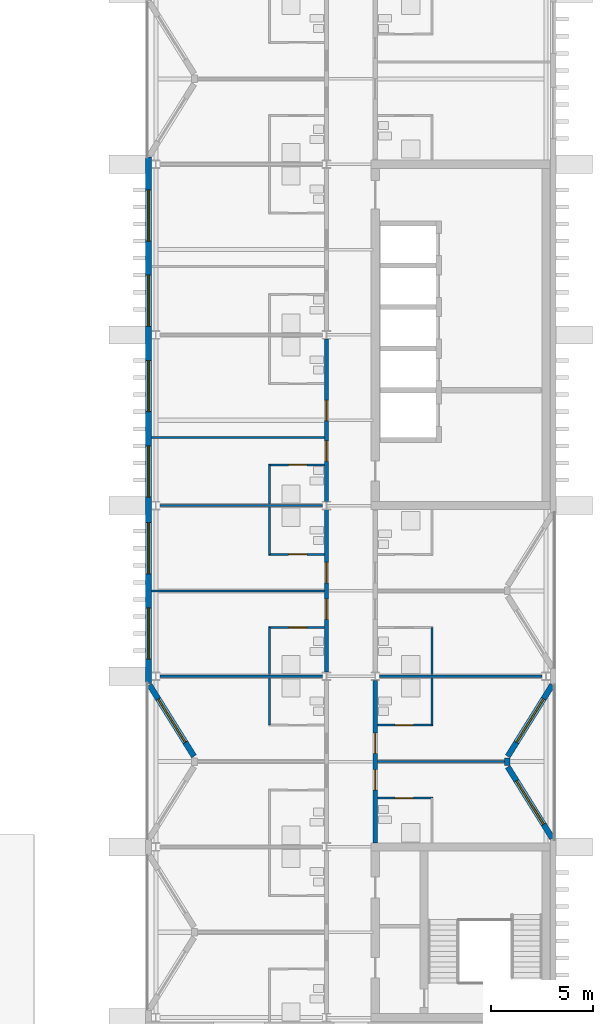
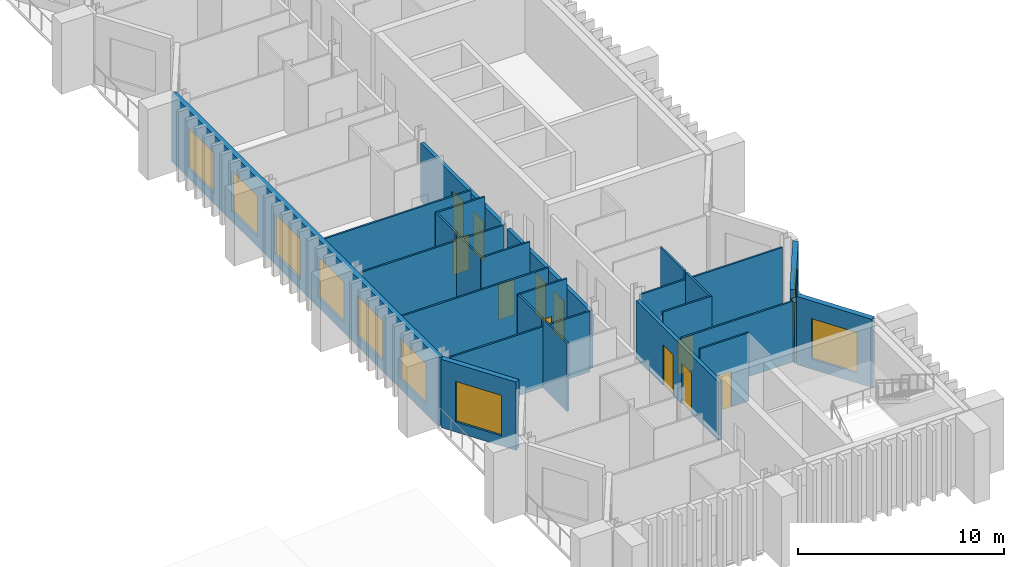
# One storey, part 11 of 21: 25 walls, 11 doors, 9 windows, 20 openings.
"""IFC4 building model written with IfcOpenShell, lengths in metres."""

import ifcopenshell
import ifcopenshell.guid

model = None  # the IFC model being written
_history = None  # IfcOwnerHistory: only IFC2X3 demands one
_inside = {}  # id of a spatial element -> (the spatial element, [elements in it])
_under = {}  # id of a project, library or spatial element -> (it, [spatial elements below it])
_declared = {}  # id of a project -> (the project, [libraries it declares])
_typed = {}  # id of a type object -> (the type object, [elements of that type])
_made_of = {}  # id of a material, layer set ... -> (it, [elements and type objects made of it])


def new_model(schema):
    """Start an empty IFC model of exactly this schema.

    Asked for "IFC4X3", IfcOpenShell would pick the latest addendum, in which some entities
    have other attributes; the version numbers below select the first issue.
    IFC2X3 requires an IfcOwnerHistory on every rooted entity: one is made here for all.
    """
    global model, _history
    if schema == "IFC4X3":
        model = ifcopenshell.file(schema_version=(4, 3, 0, 0))
    else:
        model = ifcopenshell.file(schema=schema)
    _inside.clear()
    _under.clear()
    _declared.clear()
    _typed.clear()
    _made_of.clear()
    _history = None
    if model.schema == "IFC2X3":
        org = make("IfcOrganization", Name="unknown")
        user = make(
            "IfcPersonAndOrganization",
            ThePerson=make("IfcPerson", FamilyName="unknown"),
            TheOrganization=org,
        )
        app = make(
            "IfcApplication",
            ApplicationDeveloper=org,
            Version="unknown",
            ApplicationFullName="unknown",
            ApplicationIdentifier="unknown",
        )
        _history = make(
            "IfcOwnerHistory",
            OwningUser=user,
            OwningApplication=app,
            ChangeAction="ADDED",
            CreationDate=0,
        )
    return model


def make(cls, **values):
    """One entity of the class cls with the attributes given. An attribute that is None is left unset."""
    return model.create_entity(
        cls, **{name: value for name, value in values.items() if value is not None}
    )


def rooted(cls, **values):
    """An entity with a GlobalId (a new one), such as an element, a storey or a relation."""
    return make(cls, GlobalId=ifcopenshell.guid.new(), OwnerHistory=_history, **values)


def si_unit(unit_type, name, prefix=None):
    """IfcSIUnit, for example si_unit("LENGTHUNIT", "METRE", prefix="MILLI")."""
    return make("IfcSIUnit", UnitType=unit_type, Prefix=prefix, Name=name)


def assignment(units):
    """IfcUnitAssignment: the units of a project."""
    return None if units is None else make("IfcUnitAssignment", Units=units)


def point(xyz):
    """IfcCartesianPoint."""
    return None if xyz is None else make("IfcCartesianPoint", Coordinates=xyz)


def direction(xyz):
    """IfcDirection."""
    return None if xyz is None else make("IfcDirection", DirectionRatios=xyz)


def frame(location, z_axis=None, x_axis=None):
    """IfcAxis2Placement3D, a coordinate frame: its origin and axes. An axis left out is left unset."""
    return make(
        "IfcAxis2Placement3D",
        Location=point(location),
        Axis=direction(z_axis),
        RefDirection=direction(x_axis),
    )


def frame_2d(location, x_axis=None):
    """IfcAxis2Placement2D, a coordinate frame in the plane: its origin and x axis."""
    return make(
        "IfcAxis2Placement2D", Location=point(location), RefDirection=direction(x_axis)
    )


def origin():
    """The frame at (0, 0, 0) with its axes left unset."""
    return frame((0.0, 0.0, 0.0))


def place(relative_to, where):
    """IfcLocalPlacement: puts the frame where relative to a parent placement (None: the world)."""
    return make(
        "IfcLocalPlacement", PlacementRelTo=relative_to, RelativePlacement=where
    )


def context(
    kind, dimensions, precision=None, world=None, true_north=None, identifier=None
):
    """IfcGeometricRepresentationContext, for example the 3D "Model" context."""
    return make(
        "IfcGeometricRepresentationContext",
        ContextIdentifier=identifier,
        ContextType=kind,
        CoordinateSpaceDimension=dimensions,
        Precision=precision,
        WorldCoordinateSystem=world,
        TrueNorth=true_north,
    )


def subcontext(parent, identifier, kind, view, scale=None):
    """IfcGeometricRepresentationSubContext, for example "Body" below "Model"."""
    return make(
        "IfcGeometricRepresentationSubContext",
        ContextIdentifier=identifier,
        ContextType=kind,
        ParentContext=parent,
        TargetScale=scale,
        TargetView=view,
    )


def project(units=None, contexts=None):
    """IfcProject with its units and contexts."""
    return rooted(
        "IfcProject",
        Name="project",
        RepresentationContexts=contexts,
        UnitsInContext=assignment(units),
    )


def spatial(cls, under=None, at=None, **own):
    """A site, building, storey or space (cls), placed at a placement, below another one or the project."""
    s = rooted(cls, ObjectPlacement=at, **own)
    if under is not None:
        _under.setdefault(under.id(), (under, []))[1].append(s)
    return s


def profile(cls, at=None, kind="AREA", **sizes):
    """A parametric profile (cls). Its sizes go by their IFC names, for example OverallWidth=200.0."""
    return make(cls, ProfileType=kind, Position=at, **sizes)


def rectangle(**sizes):
    """IfcRectangleProfileDef."""
    return profile("IfcRectangleProfileDef", **sizes)


def extrude(swept, where, along, depth):
    """IfcExtrudedAreaSolid: the profile swept, set in the frame where, extruded along a direction by depth."""
    return make(
        "IfcExtrudedAreaSolid",
        SweptArea=swept,
        Position=where,
        ExtrudedDirection=direction(along),
        Depth=depth,
    )


def shape(context_of_items, identifier, shape_type, items):
    """IfcShapeRepresentation: the items that make up one representation, for example the "Body"."""
    return make(
        "IfcShapeRepresentation",
        ContextOfItems=context_of_items,
        RepresentationIdentifier=identifier,
        RepresentationType=shape_type,
        Items=items,
    )


def material(Name=None, Category=None):
    """IfcMaterial."""
    return make("IfcMaterial", Name=Name, Category=Category)


def layer(
    of_material, thickness, ventilated=None, Name=None, Category=None, Priority=None
):
    """IfcMaterialLayer: one layer of a wall or slab, of a material (None: an air gap)."""
    return make(
        "IfcMaterialLayer",
        Material=of_material,
        LayerThickness=thickness,
        IsVentilated=ventilated,
        Name=Name,
        Category=Category,
        Priority=Priority,
    )


def layer_set(layers, Name=None):
    """IfcMaterialLayerSet."""
    return make("IfcMaterialLayerSet", MaterialLayers=layers, LayerSetName=Name)


def made_of(thing, what):
    """Note that an element or type object is made of a material, layer set ...; save() writes the relation."""
    if what is not None:
        _made_of.setdefault(what.id(), (what, []))[1].append(thing)
    return thing


def type_object(cls, material=None, **own):
    """A type object (cls), such as IfcWallType, which elements share."""
    return made_of(rooted(cls, **own), material)


def element(
    cls,
    number,
    at=None,
    inside=None,
    cuts=None,
    type_object=None,
    material=None,
    context=None,
    identifier="Body",
    shape_type=None,
    held_by="IfcProductDefinitionShape",
    body=None,
    shapes=None,
    **own,
):
    """One element of the class cls, such as IfcWall. Its Tag is "e" and its number.

    at: its placement. inside: the storey or other place that contains it. cuts: it is an
    opening in that element (IfcRelVoidsElement). A single representation is given by context,
    identifier, shape_type and body (its items); several are given by shapes. held_by: the class
    of the entity that holds the representations. save() writes the other relations.
    """
    e = rooted(cls, Tag="e%d" % number, ObjectPlacement=at, **own)
    if body is not None:
        shapes = [shape(context, identifier, shape_type, body)]
    if shapes is not None:
        e.Representation = make(held_by, Representations=shapes)
    if inside is not None:
        _inside.setdefault(inside.id(), (inside, []))[1].append(e)
    if cuts is not None:
        rooted(
            "IfcRelVoidsElement", RelatingBuildingElement=cuts, RelatedOpeningElement=e
        )
    if type_object is not None:
        _typed.setdefault(type_object.id(), (type_object, []))[1].append(e)
    return made_of(e, material)


def fill(opening, filler):
    """IfcRelFillsElement: the door or window that sits in an opening."""
    return rooted(
        "IfcRelFillsElement",
        RelatingOpeningElement=opening,
        RelatedBuildingElement=filler,
    )


def aggregate(whole, parts):
    """IfcRelAggregates: a whole, such as a stair, and the parts it consists of."""
    return rooted("IfcRelAggregates", RelatingObject=whole, RelatedObjects=parts)


def save(model, path):
    """Write the relations noted so far, then the file.

    IfcRelAggregates (storeys below a building ...), IfcRelContainedInSpatialStructure (elements
    in a storey), IfcRelDefinesByType, IfcRelAssociatesMaterial and IfcRelDeclares: one each for
    every whole, place, type object, material and project.
    """
    for whole, parts in _under.values():
        aggregate(whole, parts)
    for where, things in _inside.values():
        rooted(
            "IfcRelContainedInSpatialStructure",
            RelatedElements=things,
            RelatingStructure=where,
        )
    for kind, things in _typed.values():
        rooted("IfcRelDefinesByType", RelatedObjects=things, RelatingType=kind)
    for what, things in _made_of.values():
        rooted("IfcRelAssociatesMaterial", RelatedObjects=things, RelatingMaterial=what)
    for by, libraries in _declared.values():
        rooted("IfcRelDeclares", RelatingContext=by, RelatedDefinitions=libraries)
    model.write(path)


model = new_model("IFC4")

# Units and contexts
model_context = context("Model", 3, precision=1e-05, world=origin(), true_north=direction((0.0, 1.0)))
body_context = subcontext(model_context, "Body", "Model", "MODEL_VIEW")
ifc_project = project(units=[si_unit("LENGTHUNIT", "METRE"), si_unit("AREAUNIT", "SQUARE_METRE"), si_unit("VOLUMEUNIT", "CUBIC_METRE"), si_unit("PLANEANGLEUNIT", "RADIAN"), si_unit("MASSUNIT", "GRAM", prefix="KILO")], contexts=[model_context])

# Site, building, storey
site_placement = place(None, origin())
site = spatial("IfcSite", under=ifc_project, at=site_placement, CompositionType="ELEMENT")
building_placement = place(site_placement, origin())
building = spatial("IfcBuilding", under=site, at=building_placement, Name="Cresset Court Congress Hotel", CompositionType="ELEMENT")
storey_placement = place(building_placement, frame((0.0, 0.0, 22.800048828125)))
storey = spatial("IfcBuildingStorey", under=building, at=storey_placement, Name="L05", CompositionType="ELEMENT", Elevation=22.800048828125)

# Wall, openings, doors
ifc_material_1 = material(Name="Gypsum board partition")
ifc_layer_1 = layer(ifc_material_1, 0.199951171875)
ifc_layer_set_1 = layer_set([ifc_layer_1], Name="Corridor wall 200")
wall_type_1 = type_object("IfcWallType", Name="Corridor wall 200", PredefinedType="PARTITIONING", material=ifc_layer_set_1)
wall_1_placement = place(storey_placement, frame((165.60009765625, 17.0, 0.0), z_axis=(0.0, 0.0, 1.0), x_axis=(0.0, 1.0, 0.0)))
wall_1 = element("IfcWall", 1, at=wall_1_placement, inside=storey, type_object=wall_type_1, Name="A.wl.L05.072", PredefinedType="PARTITIONING", context=body_context, shape_type="SweptSolid", body=[
    extrude(rectangle(XDim=8.0, YDim=0.199951171875, at=frame_2d((4.0, 0.0))), origin(), (0.0, 0.0, 1.0), 3.449951171875),
])
opening_1_placement = place(wall_1_placement, frame((2.60009765625, 0.0, 0.0)))
opening_1 = element("IfcOpeningElement", 2, at=opening_1_placement, cuts=wall_1, Name="Opening DA-05-10", PredefinedType="OPENING", context=body_context, shape_type="SweptSolid", body=[
    extrude(rectangle(XDim=1.0, YDim=2.39990234375, at=frame_2d((0.5, 1.199951171875))), frame((0.0, 0.10986328125, 0.0), z_axis=(0.0, -1.0, 0.0), x_axis=(1.0, 0.0, 0.0)), (0.0, 0.0, 1.0), 0.219970703125),
])
opening_2_placement = place(wall_1_placement, frame((4.39990234375, 0.0, 0.0)))
opening_2 = element("IfcOpeningElement", 3, at=opening_2_placement, cuts=wall_1, Name="Opening DA-05-12", PredefinedType="OPENING", context=body_context, shape_type="SweptSolid", body=[
    extrude(rectangle(XDim=1.0, YDim=2.39990234375, at=frame_2d((0.5, 1.199951171875))), frame((0.0, 0.10986328125, 0.0), z_axis=(0.0, -1.0, 0.0), x_axis=(1.0, 0.0, 0.0)), (0.0, 0.0, 1.0), 0.219970703125),
])
ifc_material_2 = material(Name="timber", Category="wood")
door_type_1 = type_object("IfcDoorType", Name="Guest-room entry door 1000x2400 FD30S", OperationType="SINGLE_SWING_LEFT", PredefinedType="DOOR", material=ifc_material_2)
door_1_placement = place(opening_1_placement, origin())
door_1 = element("IfcDoor", 4, at=door_1_placement, inside=storey, type_object=door_type_1, Name="Door DA-05-10", OperationType="SINGLE_SWING_RIGHT", OverallHeight=2.39990234375, OverallWidth=1.0, PredefinedType="DOOR", context=body_context, shape_type="SweptSolid", body=[
    extrude(rectangle(XDim=1.0, YDim=2.39990234375, at=frame_2d((0.5, 1.199951171875))), frame((0.0, 0.02490234375, 0.0), z_axis=(0.0, -1.0, 0.0), x_axis=(1.0, 0.0, 0.0)), (0.0, 0.0, 1.0), 0.050048828125),
])
fill(opening_1, door_1)
door_2_placement = place(opening_2_placement, origin())
door_2 = element("IfcDoor", 5, at=door_2_placement, inside=storey, type_object=door_type_1, Name="Door DA-05-12", OperationType="SINGLE_SWING_LEFT", OverallHeight=2.39990234375, OverallWidth=1.0, PredefinedType="DOOR", context=body_context, shape_type="SweptSolid", body=[
    extrude(rectangle(XDim=1.0, YDim=2.39990234375, at=frame_2d((0.5, 1.199951171875))), frame((0.0, 0.02490234375, 0.0), z_axis=(0.0, -1.0, 0.0), x_axis=(1.0, 0.0, 0.0)), (0.0, 0.0, 1.0), 0.050048828125),
])
fill(opening_2, door_2)

wall_2_placement = place(storey_placement, frame((165.60009765625, 25.39990234375, 0.0), z_axis=(0.0, 0.0, 1.0), x_axis=(0.0, 1.0, 0.0)))
wall_2 = element("IfcWall", 6, at=wall_2_placement, inside=storey, type_object=wall_type_1, Name="A.wl.L05.073", PredefinedType="PARTITIONING", context=body_context, shape_type="SweptSolid", body=[
    extrude(rectangle(XDim=8.0, YDim=0.199951171875, at=frame_2d((4.0, 0.0))), origin(), (0.0, 0.0, 1.0), 3.449951171875),
])
opening_3_placement = place(wall_2_placement, frame((1.97998046875, 0.0, 0.0)))
opening_3 = element("IfcOpeningElement", 7, at=opening_3_placement, cuts=wall_2, Name="Opening DA-05-14", PredefinedType="OPENING", context=body_context, shape_type="SweptSolid", body=[
    extrude(rectangle(XDim=1.0, YDim=2.39990234375, at=frame_2d((0.5, 1.199951171875))), frame((0.0, 0.10986328125, 0.0), z_axis=(0.0, -1.0, 0.0), x_axis=(1.0, 0.0, 0.0)), (0.0, 0.0, 1.0), 0.219970703125),
])
opening_4_placement = place(wall_2_placement, frame((3.97998046875, 0.0, 0.0)))
opening_4 = element("IfcOpeningElement", 8, at=opening_4_placement, cuts=wall_2, Name="Opening DA-05-16", PredefinedType="OPENING", context=body_context, shape_type="SweptSolid", body=[
    extrude(rectangle(XDim=1.0, YDim=2.39990234375, at=frame_2d((0.5, 1.199951171875))), frame((0.0, 0.10986328125, 0.0), z_axis=(0.0, -1.0, 0.0), x_axis=(1.0, 0.0, 0.0)), (0.0, 0.0, 1.0), 0.219970703125),
])
door_3_placement = place(opening_3_placement, origin())
door_3 = element("IfcDoor", 9, at=door_3_placement, inside=storey, type_object=door_type_1, Name="Door DA-05-14", OperationType="SINGLE_SWING_RIGHT", OverallHeight=2.39990234375, OverallWidth=1.0, PredefinedType="DOOR", context=body_context, shape_type="SweptSolid", body=[
    extrude(rectangle(XDim=1.0, YDim=2.39990234375, at=frame_2d((0.5, 1.199951171875))), frame((0.0, 0.02490234375, 0.0), z_axis=(0.0, -1.0, 0.0), x_axis=(1.0, 0.0, 0.0)), (0.0, 0.0, 1.0), 0.050048828125),
])
fill(opening_3, door_3)
door_4_placement = place(opening_4_placement, origin())
door_4 = element("IfcDoor", 10, at=door_4_placement, inside=storey, type_object=door_type_1, Name="Door DA-05-16", OperationType="SINGLE_SWING_LEFT", OverallHeight=2.39990234375, OverallWidth=1.0, PredefinedType="DOOR", context=body_context, shape_type="SweptSolid", body=[
    extrude(rectangle(XDim=1.0, YDim=2.39990234375, at=frame_2d((0.5, 1.199951171875))), frame((0.0, 0.02490234375, 0.0), z_axis=(0.0, -1.0, 0.0), x_axis=(1.0, 0.0, 0.0)), (0.0, 0.0, 1.0), 0.050048828125),
])
fill(opening_4, door_4)

wall_3_placement = place(storey_placement, frame((168.0, 8.60009765625, 0.0), z_axis=(0.0, 0.0, 1.0), x_axis=(0.0, 1.0, 0.0)))
wall_3 = element("IfcWall", 11, at=wall_3_placement, inside=storey, type_object=wall_type_1, Name="A.wl.L05.078", PredefinedType="PARTITIONING", context=body_context, shape_type="SweptSolid", body=[
    extrude(rectangle(XDim=8.0, YDim=0.199951171875, at=frame_2d((4.0, 0.0))), origin(), (0.0, 0.0, 1.0), 3.449951171875),
])
opening_5_placement = place(wall_3_placement, frame((2.60009765625, 0.0, 0.0)))
opening_5 = element("IfcOpeningElement", 12, at=opening_5_placement, cuts=wall_3, Name="Opening DA-05-34", PredefinedType="OPENING", context=body_context, shape_type="SweptSolid", body=[
    extrude(rectangle(XDim=1.0, YDim=2.39990234375, at=frame_2d((0.5, 1.199951171875))), frame((0.0, 0.10986328125, 0.0), z_axis=(0.0, -1.0, 0.0), x_axis=(1.0, 0.0, 0.0)), (0.0, 0.0, 1.0), 0.219970703125),
])
opening_6_placement = place(wall_3_placement, frame((4.39990234375, 0.0, 0.0)))
opening_6 = element("IfcOpeningElement", 13, at=opening_6_placement, cuts=wall_3, Name="Opening DA-05-36", PredefinedType="OPENING", context=body_context, shape_type="SweptSolid", body=[
    extrude(rectangle(XDim=1.0, YDim=2.39990234375, at=frame_2d((0.5, 1.199951171875))), frame((0.0, 0.10986328125, 0.0), z_axis=(0.0, -1.0, 0.0), x_axis=(1.0, 0.0, 0.0)), (0.0, 0.0, 1.0), 0.219970703125),
])
door_5_placement = place(opening_5_placement, origin())
door_5 = element("IfcDoor", 14, at=door_5_placement, inside=storey, type_object=door_type_1, Name="Door DA-05-34", OperationType="SINGLE_SWING_RIGHT", OverallHeight=2.39990234375, OverallWidth=1.0, PredefinedType="DOOR", context=body_context, shape_type="SweptSolid", body=[
    extrude(rectangle(XDim=1.0, YDim=2.39990234375, at=frame_2d((0.5, 1.199951171875))), frame((0.0, 0.02490234375, 0.0), z_axis=(0.0, -1.0, 0.0), x_axis=(1.0, 0.0, 0.0)), (0.0, 0.0, 1.0), 0.050048828125),
])
fill(opening_5, door_5)
door_6_placement = place(opening_6_placement, origin())
door_6 = element("IfcDoor", 15, at=door_6_placement, inside=storey, type_object=door_type_1, Name="Door DA-05-36", OperationType="SINGLE_SWING_LEFT", OverallHeight=2.39990234375, OverallWidth=1.0, PredefinedType="DOOR", context=body_context, shape_type="SweptSolid", body=[
    extrude(rectangle(XDim=1.0, YDim=2.39990234375, at=frame_2d((0.5, 1.199951171875))), frame((0.0, 0.02490234375, 0.0), z_axis=(0.0, -1.0, 0.0), x_axis=(1.0, 0.0, 0.0)), (0.0, 0.0, 1.0), 0.050048828125),
])
fill(opening_6, door_6)

# Walls
ifc_material_3 = material(Name="Gypsum board partition")
ifc_layer_2 = layer(ifc_material_3, 0.10009765625)
ifc_layer_set_2 = layer_set([ifc_layer_2], Name="En-suite wall 100")
wall_type_2 = type_object("IfcWallType", Name="En-suite wall 100", PredefinedType="PARTITIONING", material=ifc_layer_set_2)
wall_4_placement = place(storey_placement, frame((162.800048828125, 14.39990234375, 0.0), z_axis=(0.0, 0.0, 1.0), x_axis=(0.0, 1.0, 0.0)))
element("IfcWall", 16, at=wall_4_placement, inside=storey, type_object=wall_type_2, Name="A.wl.L05.007", PredefinedType="PARTITIONING", context=body_context, shape_type="SweptSolid", body=[
    extrude(rectangle(XDim=2.3251953125, YDim=0.10009765625, at=frame_2d((1.16259765625, 0.0))), origin(), (0.0, 0.0, 1.0), 4.050048828125),
])
wall_5_placement = place(storey_placement, frame((162.800048828125, 16.875, 0.0), z_axis=(0.0, 0.0, 1.0), x_axis=(0.0, 1.0, 0.0)))
element("IfcWall", 17, at=wall_5_placement, inside=storey, type_object=wall_type_2, Name="A.wl.L05.009", PredefinedType="PARTITIONING", context=body_context, shape_type="SweptSolid", body=[
    extrude(rectangle(XDim=2.324951171875, YDim=0.10009765625, at=frame_2d((1.16259765625, 0.0))), origin(), (0.0, 0.0, 1.0), 4.050048828125),
])

# Wall, opening, door
wall_6_placement = place(storey_placement, frame((162.75, 19.199951171875, 0.0), z_axis=(0.0, 0.0, 1.0), x_axis=(1.0, 0.0, 0.0)))
wall_6 = element("IfcWall", 18, at=wall_6_placement, inside=storey, type_object=wall_type_2, Name="A.wl.L05.010", PredefinedType="PARTITIONING", context=body_context, shape_type="SweptSolid", body=[
    extrude(rectangle(XDim=2.75, YDim=0.10009765625, at=frame_2d((1.375, 0.0))), origin(), (0.0, 0.0, 1.0), 4.050048828125),
])
opening_7_placement = place(wall_6_placement, frame((0.97998046875, 0.0, 0.0)))
opening_7 = element("IfcOpeningElement", 19, at=opening_7_placement, cuts=wall_6, Name="Opening DA-05-09", PredefinedType="OPENING", context=body_context, shape_type="SweptSolid", body=[
    extrude(rectangle(XDim=0.89990234375, YDim=2.10009765625, at=frame_2d((0.449951171875, 1.050048828125))), frame((0.0, 0.06005859375, 0.0), z_axis=(0.0, -1.0, 0.0), x_axis=(1.0, 0.0, 0.0)), (0.0, 0.0, 1.0), 0.1201171875),
])
ifc_material_4 = material(Name="timber", Category="wood")
door_type_2 = type_object("IfcDoorType", Name="En-suite door 900x2100", OperationType="SINGLE_SWING_LEFT", PredefinedType="DOOR", material=ifc_material_4)
door_7_placement = place(opening_7_placement, origin())
door_7 = element("IfcDoor", 20, at=door_7_placement, inside=storey, type_object=door_type_2, Name="Door DA-05-09", OperationType="SINGLE_SWING_RIGHT", OverallHeight=2.10009765625, OverallWidth=0.89990234375, PredefinedType="DOOR", context=body_context, shape_type="SweptSolid", body=[
    extrude(rectangle(XDim=0.89990234375, YDim=2.10009765625, at=frame_2d((0.449951171875, 1.050048828125))), frame((0.0, 0.02490234375, 0.0), z_axis=(0.0, -1.0, 0.0), x_axis=(1.0, 0.0, 0.0)), (0.0, 0.0, 1.0), 0.050048828125),
])
fill(opening_7, door_7)

# Wall
wall_7_placement = place(storey_placement, frame((162.800048828125, 22.800048828125, 0.0), z_axis=(0.0, 0.0, 1.0), x_axis=(0.0, 1.0, 0.0)))
element("IfcWall", 21, at=wall_7_placement, inside=storey, type_object=wall_type_2, Name="A.wl.L05.011", PredefinedType="PARTITIONING", context=body_context, shape_type="SweptSolid", body=[
    extrude(rectangle(XDim=2.324951171875, YDim=0.10009765625, at=frame_2d((1.16259765625, 0.0))), origin(), (0.0, 0.0, 1.0), 4.050048828125),
])

# Wall, opening, door
wall_8_placement = place(storey_placement, frame((162.75, 22.800048828125, 0.0), z_axis=(0.0, 0.0, 1.0), x_axis=(1.0, 0.0, 0.0)))
wall_8 = element("IfcWall", 22, at=wall_8_placement, inside=storey, type_object=wall_type_2, Name="A.wl.L05.012", PredefinedType="PARTITIONING", context=body_context, shape_type="SweptSolid", body=[
    extrude(rectangle(XDim=2.75, YDim=0.10009765625, at=frame_2d((1.375, 0.0))), origin(), (0.0, 0.0, 1.0), 4.050048828125),
])
opening_8_placement = place(wall_8_placement, frame((0.97998046875, 0.0, 0.0)))
opening_8 = element("IfcOpeningElement", 23, at=opening_8_placement, cuts=wall_8, Name="Opening DA-05-11", PredefinedType="OPENING", context=body_context, shape_type="SweptSolid", body=[
    extrude(rectangle(XDim=0.89990234375, YDim=2.10009765625, at=frame_2d((0.449951171875, 1.050048828125))), frame((0.0, 0.06005859375, 0.0), z_axis=(0.0, -1.0, 0.0), x_axis=(1.0, 0.0, 0.0)), (0.0, 0.0, 1.0), 0.1201171875),
])
door_8_placement = place(opening_8_placement, origin())
door_8 = element("IfcDoor", 24, at=door_8_placement, inside=storey, type_object=door_type_2, Name="Door DA-05-11", OperationType="SINGLE_SWING_LEFT", OverallHeight=2.10009765625, OverallWidth=0.89990234375, PredefinedType="DOOR", context=body_context, shape_type="SweptSolid", body=[
    extrude(rectangle(XDim=0.89990234375, YDim=2.10009765625, at=frame_2d((0.449951171875, 1.050048828125))), frame((0.0, 0.02490234375, 0.0), z_axis=(0.0, -1.0, 0.0), x_axis=(1.0, 0.0, 0.0)), (0.0, 0.0, 1.0), 0.050048828125),
])
fill(opening_8, door_8)

# Wall
wall_9_placement = place(storey_placement, frame((162.800048828125, 25.27490234375, 0.0), z_axis=(0.0, 0.0, 1.0), x_axis=(0.0, 1.0, 0.0)))
element("IfcWall", 25, at=wall_9_placement, inside=storey, type_object=wall_type_2, Name="A.wl.L05.013", PredefinedType="PARTITIONING", context=body_context, shape_type="SweptSolid", body=[
    extrude(rectangle(XDim=1.925048828125, YDim=0.10009765625, at=frame_2d((0.96240234375, 0.0))), origin(), (0.0, 0.0, 1.0), 4.050048828125),
])

# Wall, opening, door
wall_10_placement = place(storey_placement, frame((162.75, 27.199951171875, 0.0), z_axis=(0.0, 0.0, 1.0), x_axis=(1.0, 0.0, 0.0)))
wall_10 = element("IfcWall", 26, at=wall_10_placement, inside=storey, type_object=wall_type_2, Name="A.wl.L05.014", PredefinedType="PARTITIONING", context=body_context, shape_type="SweptSolid", body=[
    extrude(rectangle(XDim=2.75, YDim=0.10009765625, at=frame_2d((1.375, 0.0))), origin(), (0.0, 0.0, 1.0), 4.050048828125),
])
opening_9_placement = place(wall_10_placement, frame((0.97998046875, 0.0, 0.0)))
opening_9 = element("IfcOpeningElement", 27, at=opening_9_placement, cuts=wall_10, Name="Opening DA-05-13", PredefinedType="OPENING", context=body_context, shape_type="SweptSolid", body=[
    extrude(rectangle(XDim=0.89990234375, YDim=2.10009765625, at=frame_2d((0.449951171875, 1.050048828125))), frame((0.0, 0.06005859375, 0.0), z_axis=(0.0, -1.0, 0.0), x_axis=(1.0, 0.0, 0.0)), (0.0, 0.0, 1.0), 0.1201171875),
])
door_9_placement = place(opening_9_placement, origin())
door_9 = element("IfcDoor", 28, at=door_9_placement, inside=storey, type_object=door_type_2, Name="Door DA-05-13", OperationType="SINGLE_SWING_RIGHT", OverallHeight=2.10009765625, OverallWidth=0.89990234375, PredefinedType="DOOR", context=body_context, shape_type="SweptSolid", body=[
    extrude(rectangle(XDim=0.89990234375, YDim=2.10009765625, at=frame_2d((0.449951171875, 1.050048828125))), frame((0.0, 0.02490234375, 0.0), z_axis=(0.0, -1.0, 0.0), x_axis=(1.0, 0.0, 0.0)), (0.0, 0.0, 1.0), 0.050048828125),
])
fill(opening_9, door_9)

wall_11_placement = place(storey_placement, frame((170.85009765625, 10.800048828125, 0.0), z_axis=(0.0, 0.0, 1.0), x_axis=(-1.0, 0.0, 0.0)))
wall_11 = element("IfcWall", 29, at=wall_11_placement, inside=storey, type_object=wall_type_2, Name="A.wl.L05.034", PredefinedType="PARTITIONING", context=body_context, shape_type="SweptSolid", body=[
    extrude(rectangle(XDim=2.75, YDim=0.10009765625, at=frame_2d((1.375, 0.0))), origin(), (0.0, 0.0, 1.0), 4.050048828125),
])
opening_10_placement = place(wall_11_placement, frame((0.97998046875, 0.0, 0.0)))
opening_10 = element("IfcOpeningElement", 30, at=opening_10_placement, cuts=wall_11, Name="Opening DA-05-33", PredefinedType="OPENING", context=body_context, shape_type="SweptSolid", body=[
    extrude(rectangle(XDim=0.89990234375, YDim=2.10009765625, at=frame_2d((0.449951171875, 1.050048828125))), frame((0.0, 0.06005859375, 0.0), z_axis=(0.0, -1.0, 0.0), x_axis=(1.0, 0.0, 0.0)), (0.0, 0.0, 1.0), 0.1201171875),
])
door_10_placement = place(opening_10_placement, origin())
door_10 = element("IfcDoor", 31, at=door_10_placement, inside=storey, type_object=door_type_2, Name="Door DA-05-33", OperationType="SINGLE_SWING_RIGHT", OverallHeight=2.10009765625, OverallWidth=0.89990234375, PredefinedType="DOOR", context=body_context, shape_type="SweptSolid", body=[
    extrude(rectangle(XDim=0.89990234375, YDim=2.10009765625, at=frame_2d((0.449951171875, 1.050048828125))), frame((0.0, 0.02490234375, 0.0), z_axis=(0.0, -1.0, 0.0), x_axis=(1.0, 0.0, 0.0)), (0.0, 0.0, 1.0), 0.050048828125),
])
fill(opening_10, door_10)

# Wall
wall_12_placement = place(storey_placement, frame((170.800048828125, 14.39990234375, 0.0), z_axis=(0.0, 0.0, 1.0), x_axis=(0.0, 1.0, 0.0)))
element("IfcWall", 32, at=wall_12_placement, inside=storey, type_object=wall_type_2, Name="A.wl.L05.035", PredefinedType="PARTITIONING", context=body_context, shape_type="SweptSolid", body=[
    extrude(rectangle(XDim=2.3251953125, YDim=0.10009765625, at=frame_2d((1.16259765625, 0.0))), origin(), (0.0, 0.0, 1.0), 4.050048828125),
])

# Wall, opening, door
wall_13_placement = place(storey_placement, frame((170.85009765625, 14.39990234375, 0.0), z_axis=(0.0, 0.0, 1.0), x_axis=(-1.0, 0.0, 0.0)))
wall_13 = element("IfcWall", 33, at=wall_13_placement, inside=storey, type_object=wall_type_2, Name="A.wl.L05.036", PredefinedType="PARTITIONING", context=body_context, shape_type="SweptSolid", body=[
    extrude(rectangle(XDim=2.75, YDim=0.10009765625, at=frame_2d((1.375, 0.0))), origin(), (0.0, 0.0, 1.0), 4.050048828125),
])
opening_11_placement = place(wall_13_placement, frame((0.97998046875, 0.0, 0.0)))
opening_11 = element("IfcOpeningElement", 34, at=opening_11_placement, cuts=wall_13, Name="Opening DA-05-35", PredefinedType="OPENING", context=body_context, shape_type="SweptSolid", body=[
    extrude(rectangle(XDim=0.89990234375, YDim=2.10009765625, at=frame_2d((0.449951171875, 1.050048828125))), frame((0.0, 0.06005859375, 0.0), z_axis=(0.0, -1.0, 0.0), x_axis=(1.0, 0.0, 0.0)), (0.0, 0.0, 1.0), 0.1201171875),
])
door_11_placement = place(opening_11_placement, origin())
door_11 = element("IfcDoor", 35, at=door_11_placement, inside=storey, type_object=door_type_2, Name="Door DA-05-35", OperationType="SINGLE_SWING_LEFT", OverallHeight=2.10009765625, OverallWidth=0.89990234375, PredefinedType="DOOR", context=body_context, shape_type="SweptSolid", body=[
    extrude(rectangle(XDim=0.89990234375, YDim=2.10009765625, at=frame_2d((0.449951171875, 1.050048828125))), frame((0.0, 0.02490234375, 0.0), z_axis=(0.0, -1.0, 0.0), x_axis=(1.0, 0.0, 0.0)), (0.0, 0.0, 1.0), 0.050048828125),
])
fill(opening_11, door_11)

# Wall
wall_14_placement = place(storey_placement, frame((170.800048828125, 16.875, 0.0), z_axis=(0.0, 0.0, 1.0), x_axis=(0.0, 1.0, 0.0)))
element("IfcWall", 36, at=wall_14_placement, inside=storey, type_object=wall_type_2, Name="A.wl.L05.037", PredefinedType="PARTITIONING", context=body_context, shape_type="SweptSolid", body=[
    extrude(rectangle(XDim=2.324951171875, YDim=0.10009765625, at=frame_2d((1.16259765625, 0.0))), origin(), (0.0, 0.0, 1.0), 4.050048828125),
])

# Wall, opening, window
ifc_material_5 = material(Name="Precast concrete C50", Category="concrete")
ifc_layer_3 = layer(ifc_material_5, 0.280029296875)
ifc_layer_set_3 = layer_set([ifc_layer_3], Name="External wall 280")
wall_type_3 = type_object("IfcWallType", Name="External wall 280", PredefinedType="SOLIDWALL", material=ifc_layer_set_3)
wall_15_placement = place(storey_placement, frame((159.07861328125, 12.85888671875, 0.0), z_axis=(0.0, 0.0, 1.0), x_axis=(-0.528992500338, 0.848626498871, 0.0)))
wall_15 = element("IfcWall", 37, at=wall_15_placement, inside=storey, type_object=wall_type_3, Name="A.ew.L05.Wn.1.1", PredefinedType="SOLIDWALL", context=body_context, shape_type="SweptSolid", body=[
    extrude(rectangle(XDim=4.14453125, YDim=0.280029296875, at=frame_2d((2.072265625, 0.0))), origin(), (0.0, 0.0, 1.0), 4.050048828125),
])
opening_12_placement = place(wall_15_placement, frame((0.812255859375, 0.0, 0.60009765625)))
opening_12 = element("IfcOpeningElement", 38, at=opening_12_placement, cuts=wall_15, Name="Opening NA-05-04", PredefinedType="OPENING", context=body_context, shape_type="SweptSolid", body=[
    extrude(rectangle(XDim=2.52001953125, YDim=2.39990234375, at=frame_2d((1.260009765625, 1.199951171875))), frame((0.0, 0.14990234375, 0.0), z_axis=(0.0, -1.0, 0.0), x_axis=(1.0, 0.0, 0.0)), (0.0, 0.0, 1.0), 0.300048828125),
])
ifc_material_6 = material(Name="Aluminium and glass", Category="aluminium")
window_type = type_object("IfcWindowType", Name="Window 2520x2400", PartitioningType="SINGLE_PANEL", PredefinedType="WINDOW", material=ifc_material_6)
window_1_placement = place(opening_12_placement, origin())
window_1 = element("IfcWindow", 39, at=window_1_placement, inside=storey, type_object=window_type, Name="Window NA-05-04", OverallHeight=2.39990234375, OverallWidth=2.52001953125, PartitioningType="SINGLE_PANEL", PredefinedType="WINDOW", context=body_context, shape_type="SweptSolid", body=[
    extrude(rectangle(XDim=2.52001953125, YDim=2.39990234375, at=frame_2d((1.260009765625, 1.199951171875))), frame((0.0, 0.030029296875, 0.0), z_axis=(0.0, -1.0, 0.0), x_axis=(1.0, 0.0, 0.0)), (0.0, 0.0, 1.0), 0.06005859375),
])
fill(opening_12, window_1)

# Wall, openings, windows
wall_16_placement = place(storey_placement, frame((156.840087890625, 16.449951171875, 0.0), z_axis=(0.0, 0.0, 1.0), x_axis=(0.0, 1.0, 0.0)))
wall_16 = element("IfcWall", 40, at=wall_16_placement, inside=storey, type_object=wall_type_3, Name="A.ew.L05.W.3", PredefinedType="SOLIDWALL", context=body_context, shape_type="SweptSolid", body=[
    extrude(rectangle(XDim=25.900146484375, YDim=0.280029296875, at=frame_2d((12.9501953125, 0.0))), origin(), (0.0, 0.0, 1.0), 4.050048828125),
])
opening_13_placement = place(wall_16_placement, frame((1.18994140625, 0.0, 0.60009765625)))
opening_13 = element("IfcOpeningElement", 41, at=opening_13_placement, cuts=wall_16, Name="Opening NA-05-05", PredefinedType="OPENING", context=body_context, shape_type="SweptSolid", body=[
    extrude(rectangle(XDim=2.52001953125, YDim=2.39990234375, at=frame_2d((1.260009765625, 1.199951171875))), frame((0.0, 0.14990234375, 0.0), z_axis=(0.0, -1.0, 0.0), x_axis=(1.0, 0.0, 0.0)), (0.0, 0.0, 1.0), 0.300048828125),
])
opening_14_placement = place(wall_16_placement, frame((5.389892578125, 0.0, 0.60009765625)))
opening_14 = element("IfcOpeningElement", 42, at=opening_14_placement, cuts=wall_16, Name="Opening NA-05-06", PredefinedType="OPENING", context=body_context, shape_type="SweptSolid", body=[
    extrude(rectangle(XDim=2.52001953125, YDim=2.39990234375, at=frame_2d((1.260009765625, 1.199951171875))), frame((0.0, 0.14990234375, 0.0), z_axis=(0.0, -1.0, 0.0), x_axis=(1.0, 0.0, 0.0)), (0.0, 0.0, 1.0), 0.300048828125),
])
opening_15_placement = place(wall_16_placement, frame((9.169921875, 0.0, 0.60009765625)))
opening_15 = element("IfcOpeningElement", 43, at=opening_15_placement, cuts=wall_16, Name="Opening NA-05-07", PredefinedType="OPENING", context=body_context, shape_type="SweptSolid", body=[
    extrude(rectangle(XDim=2.52001953125, YDim=2.39990234375, at=frame_2d((1.260009765625, 1.199951171875))), frame((0.0, 0.14990234375, 0.0), z_axis=(0.0, -1.0, 0.0), x_axis=(1.0, 0.0, 0.0)), (0.0, 0.0, 1.0), 0.300048828125),
])
opening_16_placement = place(wall_16_placement, frame((13.3701171875, 0.0, 0.60009765625)))
opening_16 = element("IfcOpeningElement", 44, at=opening_16_placement, cuts=wall_16, Name="Opening NA-05-08", PredefinedType="OPENING", context=body_context, shape_type="SweptSolid", body=[
    extrude(rectangle(XDim=2.52001953125, YDim=2.39990234375, at=frame_2d((1.260009765625, 1.199951171875))), frame((0.0, 0.14990234375, 0.0), z_axis=(0.0, -1.0, 0.0), x_axis=(1.0, 0.0, 0.0)), (0.0, 0.0, 1.0), 0.300048828125),
])
opening_17_placement = place(wall_16_placement, frame((17.570068359375, 0.0, 0.60009765625)))
opening_17 = element("IfcOpeningElement", 45, at=opening_17_placement, cuts=wall_16, Name="Opening NA-05-09", PredefinedType="OPENING", context=body_context, shape_type="SweptSolid", body=[
    extrude(rectangle(XDim=2.52001953125, YDim=2.39990234375, at=frame_2d((1.260009765625, 1.199951171875))), frame((0.0, 0.14990234375, 0.0), z_axis=(0.0, -1.0, 0.0), x_axis=(1.0, 0.0, 0.0)), (0.0, 0.0, 1.0), 0.300048828125),
])
opening_18_placement = place(wall_16_placement, frame((21.77001953125, 0.0, 0.60009765625)))
opening_18 = element("IfcOpeningElement", 46, at=opening_18_placement, cuts=wall_16, Name="Opening NA-05-10", PredefinedType="OPENING", context=body_context, shape_type="SweptSolid", body=[
    extrude(rectangle(XDim=2.52001953125, YDim=2.39990234375, at=frame_2d((1.260009765625, 1.199951171875))), frame((0.0, 0.14990234375, 0.0), z_axis=(0.0, -1.0, 0.0), x_axis=(1.0, 0.0, 0.0)), (0.0, 0.0, 1.0), 0.300048828125),
])
window_2_placement = place(opening_13_placement, origin())
window_2 = element("IfcWindow", 47, at=window_2_placement, inside=storey, type_object=window_type, Name="Window NA-05-05", OverallHeight=2.39990234375, OverallWidth=2.52001953125, PartitioningType="SINGLE_PANEL", PredefinedType="WINDOW", context=body_context, shape_type="SweptSolid", body=[
    extrude(rectangle(XDim=2.52001953125, YDim=2.39990234375, at=frame_2d((1.260009765625, 1.199951171875))), frame((0.0, 0.030029296875, 0.0), z_axis=(0.0, -1.0, 0.0), x_axis=(1.0, 0.0, 0.0)), (0.0, 0.0, 1.0), 0.06005859375),
])
fill(opening_13, window_2)
window_3_placement = place(opening_14_placement, origin())
window_3 = element("IfcWindow", 48, at=window_3_placement, inside=storey, type_object=window_type, Name="Window NA-05-06", OverallHeight=2.39990234375, OverallWidth=2.52001953125, PartitioningType="SINGLE_PANEL", PredefinedType="WINDOW", context=body_context, shape_type="SweptSolid", body=[
    extrude(rectangle(XDim=2.52001953125, YDim=2.39990234375, at=frame_2d((1.260009765625, 1.199951171875))), frame((0.0, 0.030029296875, 0.0), z_axis=(0.0, -1.0, 0.0), x_axis=(1.0, 0.0, 0.0)), (0.0, 0.0, 1.0), 0.06005859375),
])
fill(opening_14, window_3)
window_4_placement = place(opening_15_placement, origin())
window_4 = element("IfcWindow", 49, at=window_4_placement, inside=storey, type_object=window_type, Name="Window NA-05-07", OverallHeight=2.39990234375, OverallWidth=2.52001953125, PartitioningType="SINGLE_PANEL", PredefinedType="WINDOW", context=body_context, shape_type="SweptSolid", body=[
    extrude(rectangle(XDim=2.52001953125, YDim=2.39990234375, at=frame_2d((1.260009765625, 1.199951171875))), frame((0.0, 0.030029296875, 0.0), z_axis=(0.0, -1.0, 0.0), x_axis=(1.0, 0.0, 0.0)), (0.0, 0.0, 1.0), 0.06005859375),
])
fill(opening_15, window_4)
window_5_placement = place(opening_16_placement, origin())
window_5 = element("IfcWindow", 50, at=window_5_placement, inside=storey, type_object=window_type, Name="Window NA-05-08", OverallHeight=2.39990234375, OverallWidth=2.52001953125, PartitioningType="SINGLE_PANEL", PredefinedType="WINDOW", context=body_context, shape_type="SweptSolid", body=[
    extrude(rectangle(XDim=2.52001953125, YDim=2.39990234375, at=frame_2d((1.260009765625, 1.199951171875))), frame((0.0, 0.030029296875, 0.0), z_axis=(0.0, -1.0, 0.0), x_axis=(1.0, 0.0, 0.0)), (0.0, 0.0, 1.0), 0.06005859375),
])
fill(opening_16, window_5)
window_6_placement = place(opening_17_placement, origin())
window_6 = element("IfcWindow", 51, at=window_6_placement, inside=storey, type_object=window_type, Name="Window NA-05-09", OverallHeight=2.39990234375, OverallWidth=2.52001953125, PartitioningType="SINGLE_PANEL", PredefinedType="WINDOW", context=body_context, shape_type="SweptSolid", body=[
    extrude(rectangle(XDim=2.52001953125, YDim=2.39990234375, at=frame_2d((1.260009765625, 1.199951171875))), frame((0.0, 0.030029296875, 0.0), z_axis=(0.0, -1.0, 0.0), x_axis=(1.0, 0.0, 0.0)), (0.0, 0.0, 1.0), 0.06005859375),
])
fill(opening_17, window_6)
window_7_placement = place(opening_18_placement, origin())
window_7 = element("IfcWindow", 52, at=window_7_placement, inside=storey, type_object=window_type, Name="Window NA-05-10", OverallHeight=2.39990234375, OverallWidth=2.52001953125, PartitioningType="SINGLE_PANEL", PredefinedType="WINDOW", context=body_context, shape_type="SweptSolid", body=[
    extrude(rectangle(XDim=2.52001953125, YDim=2.39990234375, at=frame_2d((1.260009765625, 1.199951171875))), frame((0.0, 0.030029296875, 0.0), z_axis=(0.0, -1.0, 0.0), x_axis=(1.0, 0.0, 0.0)), (0.0, 0.0, 1.0), 0.06005859375),
])
fill(opening_18, window_7)

# Wall, opening, window
wall_17_placement = place(storey_placement, frame((176.7138671875, 8.82421875, 0.0), z_axis=(0.0, 0.0, 1.0), x_axis=(-0.529018946142, 0.848610013271, 0.0)))
wall_17 = element("IfcWall", 53, at=wall_17_placement, inside=storey, type_object=wall_type_3, Name="A.ew.L05.En.1.0", PredefinedType="SOLIDWALL", context=body_context, shape_type="SweptSolid", body=[
    extrude(rectangle(XDim=4.144287109375, YDim=0.280029296875, at=frame_2d((2.072265625, 0.0))), origin(), (0.0, 0.0, 1.0), 4.050048828125),
])
opening_19_placement = place(wall_17_placement, frame((0.81201171875, 0.0, 0.60009765625)))
opening_19 = element("IfcOpeningElement", 54, at=opening_19_placement, cuts=wall_17, Name="Opening NA-05-17", PredefinedType="OPENING", context=body_context, shape_type="SweptSolid", body=[
    extrude(rectangle(XDim=2.52001953125, YDim=2.39990234375, at=frame_2d((1.260009765625, 1.199951171875))), frame((0.0, 0.14990234375, 0.0), z_axis=(0.0, -1.0, 0.0), x_axis=(1.0, 0.0, 0.0)), (0.0, 0.0, 1.0), 0.300048828125),
])
window_8_placement = place(opening_19_placement, origin())
window_8 = element("IfcWindow", 55, at=window_8_placement, inside=storey, type_object=window_type, Name="Window NA-05-17", OverallHeight=2.39990234375, OverallWidth=2.52001953125, PartitioningType="SINGLE_PANEL", PredefinedType="WINDOW", context=body_context, shape_type="SweptSolid", body=[
    extrude(rectangle(XDim=2.52001953125, YDim=2.39990234375, at=frame_2d((1.260009765625, 1.199951171875))), frame((0.0, 0.030029296875, 0.0), z_axis=(0.0, -1.0, 0.0), x_axis=(1.0, 0.0, 0.0)), (0.0, 0.0, 1.0), 0.06005859375),
])
fill(opening_19, window_8)

wall_18_placement = place(storey_placement, frame((174.521484375, 12.85888671875, 0.0), z_axis=(0.0, 0.0, 1.0), x_axis=(0.528992500338, 0.848626498871, 0.0)))
wall_18 = element("IfcWall", 56, at=wall_18_placement, inside=storey, type_object=wall_type_3, Name="A.ew.L05.En.1.1", PredefinedType="SOLIDWALL", context=body_context, shape_type="SweptSolid", body=[
    extrude(rectangle(XDim=4.14453125, YDim=0.280029296875, at=frame_2d((2.072265625, 0.0))), origin(), (0.0, 0.0, 1.0), 4.050048828125),
])
opening_20_placement = place(wall_18_placement, frame((0.81201171875, 0.0, 0.60009765625)))
opening_20 = element("IfcOpeningElement", 57, at=opening_20_placement, cuts=wall_18, Name="Opening NA-05-18", PredefinedType="OPENING", context=body_context, shape_type="SweptSolid", body=[
    extrude(rectangle(XDim=2.52001953125, YDim=2.39990234375, at=frame_2d((1.260009765625, 1.199951171875))), frame((0.0, 0.14990234375, 0.0), z_axis=(0.0, -1.0, 0.0), x_axis=(1.0, 0.0, 0.0)), (0.0, 0.0, 1.0), 0.300048828125),
])
window_9_placement = place(opening_20_placement, origin())
window_9 = element("IfcWindow", 58, at=window_9_placement, inside=storey, type_object=window_type, Name="Window NA-05-18", OverallHeight=2.39990234375, OverallWidth=2.52001953125, PartitioningType="SINGLE_PANEL", PredefinedType="WINDOW", context=body_context, shape_type="SweptSolid", body=[
    extrude(rectangle(XDim=2.52001953125, YDim=2.39990234375, at=frame_2d((1.260009765625, 1.199951171875))), frame((0.0, 0.030029296875, 0.0), z_axis=(0.0, -1.0, 0.0), x_axis=(1.0, 0.0, 0.0)), (0.0, 0.0, 1.0), 0.06005859375),
])
fill(opening_20, window_9)

# Walls
wall_19_placement = place(storey_placement, frame((174.500244140625, 12.4150390625, 0.0), z_axis=(0.0, 0.0, 1.0), x_axis=(0.0, 1.0, 0.0)))
element("IfcWall", 59, at=wall_19_placement, inside=storey, type_object=wall_type_3, Name="A.ew.L05.En.1.2", PredefinedType="SOLIDWALL", context=body_context, shape_type="SweptSolid", body=[
    extrude(rectangle(XDim=0.369873046875, YDim=0.280029296875, at=frame_2d((0.18505859375, 0.0))), origin(), (0.0, 0.0, 1.0), 3.60400390625),
])
ifc_material_7 = material(Name="Gypsum board partition")
ifc_layer_4 = layer(ifc_material_7, 0.10009765625)
ifc_layer_set_4 = layer_set([ifc_layer_4], Name="Guest-room partition 100")
wall_type_4 = type_object("IfcWallType", Name="Guest-room partition 100", PredefinedType="PARTITIONING", material=ifc_layer_set_4)
for number, where, z_axis, x_axis, name in (
    (60, (157.39990234375, 16.800048828125, 0.0), (0.0, 0.0, 1.0), (1.0, 0.0, 0.0), "A.wl.L05.050"),
    (61, (157.39990234375, 25.199951171875, 0.0), (0.0, 0.0, 1.0), (1.0, 0.0, 0.0), "A.wl.L05.051"),
    (62, (168.199951171875, 16.800048828125, 0.0), (0.0, 0.0, 1.0), (1.0, 0.0, 0.0), "A.wl.L05.056"),
):
    element("IfcWall", number, at=place(storey_placement, frame(where, z_axis=z_axis, x_axis=x_axis)), inside=storey, type_object=wall_type_4, Name=name, PredefinedType="PARTITIONING", context=body_context, shape_type="SweptSolid", body=[
        extrude(rectangle(XDim=8.0, YDim=0.10009765625, at=frame_2d((4.0, 0.0))), origin(), (0.0, 0.0, 1.0), 3.60400390625),
    ])
for number, where, z_axis, x_axis, name in (
    (63, (156.97998046875, 21.0, 0.0), (0.0, 0.0, 1.0), (1.0, 0.0, 0.0), "A.wl.L05.060"),
    (64, (156.97998046875, 28.56005859375, 0.0), (0.0, 0.0, 1.0), (1.0, 0.0, 0.0), "A.wl.L05.061"),
):
    element("IfcWall", number, at=place(storey_placement, frame(where, z_axis=z_axis, x_axis=x_axis)), inside=storey, type_object=wall_type_4, Name=name, PredefinedType="PARTITIONING", context=body_context, shape_type="SweptSolid", body=[
        extrude(rectangle(XDim=8.52001953125, YDim=0.10009765625, at=frame_2d((4.260009765625, 0.0))), origin(), (0.0, 0.0, 1.0), 3.60400390625),
    ])
wall_20_placement = place(storey_placement, frame((168.10009765625, 12.60009765625, 0.0), z_axis=(0.0, 0.0, 1.0), x_axis=(1.0, 0.0, 0.0)))
element("IfcWall", 65, at=wall_20_placement, inside=storey, type_object=wall_type_4, Name="A.wl.L05.066", PredefinedType="PARTITIONING", context=body_context, shape_type="SweptSolid", body=[
    extrude(rectangle(XDim=6.26025390625, YDim=0.10009765625, at=frame_2d((3.130126953125, 0.0))), origin(), (0.0, 0.0, 1.0), 3.60400390625),
])

save(model, "model.ifc")
